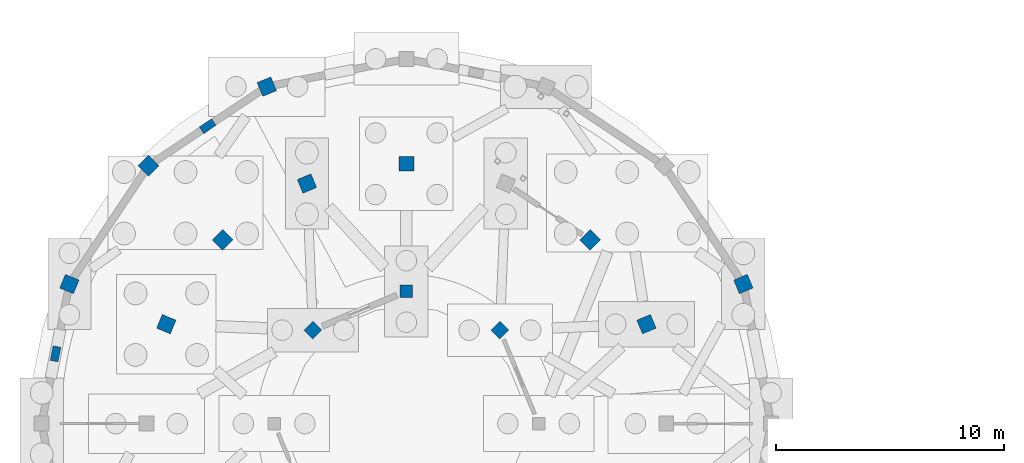
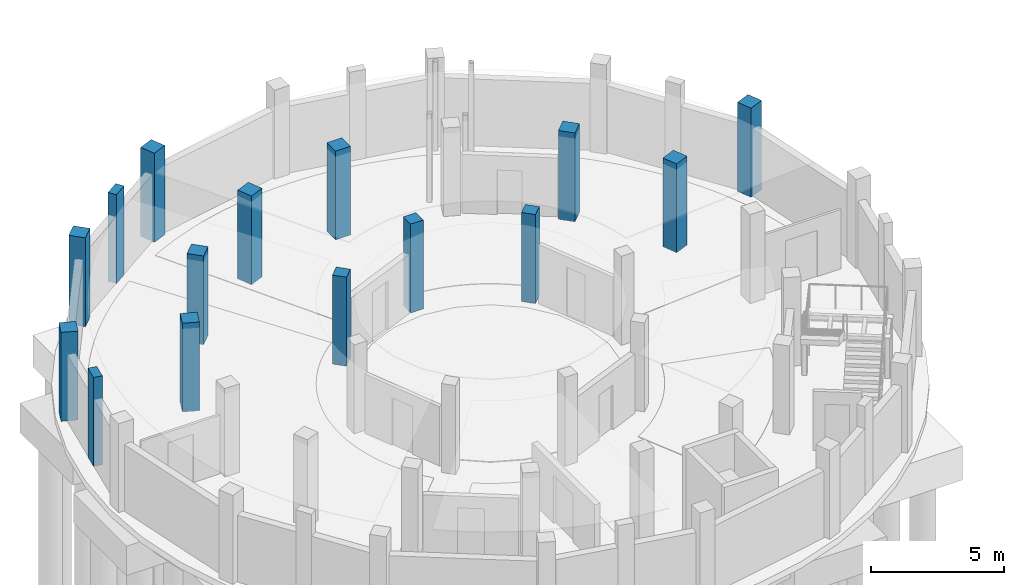
# One storey, part 24 of 58: 15 columns.
"""IFC4 building model written with IfcOpenShell, lengths in metres."""

import ifcopenshell
import ifcopenshell.guid

model = None  # the IFC model being written
_history = None  # IfcOwnerHistory: only IFC2X3 demands one
_inside = {}  # id of a spatial element -> (the spatial element, [elements in it])
_under = {}  # id of a project, library or spatial element -> (it, [spatial elements below it])
_declared = {}  # id of a project -> (the project, [libraries it declares])
_typed = {}  # id of a type object -> (the type object, [elements of that type])
_made_of = {}  # id of a material, layer set ... -> (it, [elements and type objects made of it])


def new_model(schema):
    """Start an empty IFC model of exactly this schema.

    Asked for "IFC4X3", IfcOpenShell would pick the latest addendum, in which some entities
    have other attributes; the version numbers below select the first issue.
    IFC2X3 requires an IfcOwnerHistory on every rooted entity: one is made here for all.
    """
    global model, _history
    if schema == "IFC4X3":
        model = ifcopenshell.file(schema_version=(4, 3, 0, 0))
    else:
        model = ifcopenshell.file(schema=schema)
    _inside.clear()
    _under.clear()
    _declared.clear()
    _typed.clear()
    _made_of.clear()
    _history = None
    if model.schema == "IFC2X3":
        org = make("IfcOrganization", Name="unknown")
        user = make(
            "IfcPersonAndOrganization",
            ThePerson=make("IfcPerson", FamilyName="unknown"),
            TheOrganization=org,
        )
        app = make(
            "IfcApplication",
            ApplicationDeveloper=org,
            Version="unknown",
            ApplicationFullName="unknown",
            ApplicationIdentifier="unknown",
        )
        _history = make(
            "IfcOwnerHistory",
            OwningUser=user,
            OwningApplication=app,
            ChangeAction="ADDED",
            CreationDate=0,
        )
    return model


def make(cls, **values):
    """One entity of the class cls with the attributes given. An attribute that is None is left unset."""
    return model.create_entity(
        cls, **{name: value for name, value in values.items() if value is not None}
    )


def rooted(cls, **values):
    """An entity with a GlobalId (a new one), such as an element, a storey or a relation."""
    return make(cls, GlobalId=ifcopenshell.guid.new(), OwnerHistory=_history, **values)


def si_unit(unit_type, name, prefix=None):
    """IfcSIUnit, for example si_unit("LENGTHUNIT", "METRE", prefix="MILLI")."""
    return make("IfcSIUnit", UnitType=unit_type, Prefix=prefix, Name=name)


def assignment(units):
    """IfcUnitAssignment: the units of a project."""
    return None if units is None else make("IfcUnitAssignment", Units=units)


def point(xyz):
    """IfcCartesianPoint."""
    return None if xyz is None else make("IfcCartesianPoint", Coordinates=xyz)


def direction(xyz):
    """IfcDirection."""
    return None if xyz is None else make("IfcDirection", DirectionRatios=xyz)


def frame(location, z_axis=None, x_axis=None):
    """IfcAxis2Placement3D, a coordinate frame: its origin and axes. An axis left out is left unset."""
    return make(
        "IfcAxis2Placement3D",
        Location=point(location),
        Axis=direction(z_axis),
        RefDirection=direction(x_axis),
    )


def frame_2d(location, x_axis=None):
    """IfcAxis2Placement2D, a coordinate frame in the plane: its origin and x axis."""
    return make(
        "IfcAxis2Placement2D", Location=point(location), RefDirection=direction(x_axis)
    )


def origin():
    """The frame at (0, 0, 0) with its axes left unset."""
    return frame((0.0, 0.0, 0.0))


def origin_2d():
    """The frame at (0, 0) in the plane with its x axis left unset."""
    return frame_2d((0.0, 0.0))


def place(relative_to, where):
    """IfcLocalPlacement: puts the frame where relative to a parent placement (None: the world)."""
    return make(
        "IfcLocalPlacement", PlacementRelTo=relative_to, RelativePlacement=where
    )


def context(
    kind, dimensions, precision=None, world=None, true_north=None, identifier=None
):
    """IfcGeometricRepresentationContext, for example the 3D "Model" context."""
    return make(
        "IfcGeometricRepresentationContext",
        ContextIdentifier=identifier,
        ContextType=kind,
        CoordinateSpaceDimension=dimensions,
        Precision=precision,
        WorldCoordinateSystem=world,
        TrueNorth=true_north,
    )


def subcontext(parent, identifier, kind, view, scale=None):
    """IfcGeometricRepresentationSubContext, for example "Body" below "Model"."""
    return make(
        "IfcGeometricRepresentationSubContext",
        ContextIdentifier=identifier,
        ContextType=kind,
        ParentContext=parent,
        TargetScale=scale,
        TargetView=view,
    )


def project(units=None, contexts=None):
    """IfcProject with its units and contexts."""
    return rooted(
        "IfcProject",
        Name="project",
        RepresentationContexts=contexts,
        UnitsInContext=assignment(units),
    )


def spatial(cls, under=None, at=None, **own):
    """A site, building, storey or space (cls), placed at a placement, below another one or the project."""
    s = rooted(cls, ObjectPlacement=at, **own)
    if under is not None:
        _under.setdefault(under.id(), (under, []))[1].append(s)
    return s


def profile(cls, at=None, kind="AREA", **sizes):
    """A parametric profile (cls). Its sizes go by their IFC names, for example OverallWidth=200.0."""
    return make(cls, ProfileType=kind, Position=at, **sizes)


def rectangle(**sizes):
    """IfcRectangleProfileDef."""
    return profile("IfcRectangleProfileDef", **sizes)


def extrude(swept, where, along, depth):
    """IfcExtrudedAreaSolid: the profile swept, set in the frame where, extruded along a direction by depth."""
    return make(
        "IfcExtrudedAreaSolid",
        SweptArea=swept,
        Position=where,
        ExtrudedDirection=direction(along),
        Depth=depth,
    )


def shape(context_of_items, identifier, shape_type, items):
    """IfcShapeRepresentation: the items that make up one representation, for example the "Body"."""
    return make(
        "IfcShapeRepresentation",
        ContextOfItems=context_of_items,
        RepresentationIdentifier=identifier,
        RepresentationType=shape_type,
        Items=items,
    )


def material(Name=None, Category=None):
    """IfcMaterial."""
    return make("IfcMaterial", Name=Name, Category=Category)


def material_profile(
    of_material, cross_section, Name=None, Category=None, Priority=None
):
    """IfcMaterialProfile: a cross section and its material."""
    return make(
        "IfcMaterialProfile",
        Name=Name,
        Material=of_material,
        Profile=cross_section,
        Priority=Priority,
        Category=Category,
    )


def profile_set(profiles, Name=None, composite=None):
    """IfcMaterialProfileSet."""
    return make(
        "IfcMaterialProfileSet",
        Name=Name,
        MaterialProfiles=profiles,
        CompositeProfile=composite,
    )


def made_of(thing, what):
    """Note that an element or type object is made of a material, layer set ...; save() writes the relation."""
    if what is not None:
        _made_of.setdefault(what.id(), (what, []))[1].append(thing)
    return thing


def type_object(cls, material=None, **own):
    """A type object (cls), such as IfcWallType, which elements share."""
    return made_of(rooted(cls, **own), material)


def element(
    cls,
    number,
    at=None,
    inside=None,
    cuts=None,
    type_object=None,
    material=None,
    context=None,
    identifier="Body",
    shape_type=None,
    held_by="IfcProductDefinitionShape",
    body=None,
    shapes=None,
    **own,
):
    """One element of the class cls, such as IfcWall. Its Tag is "e" and its number.

    at: its placement. inside: the storey or other place that contains it. cuts: it is an
    opening in that element (IfcRelVoidsElement). A single representation is given by context,
    identifier, shape_type and body (its items); several are given by shapes. held_by: the class
    of the entity that holds the representations. save() writes the other relations.
    """
    e = rooted(cls, Tag="e%d" % number, ObjectPlacement=at, **own)
    if body is not None:
        shapes = [shape(context, identifier, shape_type, body)]
    if shapes is not None:
        e.Representation = make(held_by, Representations=shapes)
    if inside is not None:
        _inside.setdefault(inside.id(), (inside, []))[1].append(e)
    if cuts is not None:
        rooted(
            "IfcRelVoidsElement", RelatingBuildingElement=cuts, RelatedOpeningElement=e
        )
    if type_object is not None:
        _typed.setdefault(type_object.id(), (type_object, []))[1].append(e)
    return made_of(e, material)


def aggregate(whole, parts):
    """IfcRelAggregates: a whole, such as a stair, and the parts it consists of."""
    return rooted("IfcRelAggregates", RelatingObject=whole, RelatedObjects=parts)


def save(model, path):
    """Write the relations noted so far, then the file.

    IfcRelAggregates (storeys below a building ...), IfcRelContainedInSpatialStructure (elements
    in a storey), IfcRelDefinesByType, IfcRelAssociatesMaterial and IfcRelDeclares: one each for
    every whole, place, type object, material and project.
    """
    for whole, parts in _under.values():
        aggregate(whole, parts)
    for where, things in _inside.values():
        rooted(
            "IfcRelContainedInSpatialStructure",
            RelatedElements=things,
            RelatingStructure=where,
        )
    for kind, things in _typed.values():
        rooted("IfcRelDefinesByType", RelatedObjects=things, RelatingType=kind)
    for what, things in _made_of.values():
        rooted("IfcRelAssociatesMaterial", RelatedObjects=things, RelatingMaterial=what)
    for by, libraries in _declared.values():
        rooted("IfcRelDeclares", RelatingContext=by, RelatedDefinitions=libraries)
    model.write(path)


model = new_model("IFC4")

# Units and contexts
model_context = context("Model", 3, precision=1e-05, world=origin(), true_north=direction((0.0, 1.0)))
body_context = subcontext(model_context, "Body", "Model", "MODEL_VIEW")
ifc_project = project(units=[si_unit("LENGTHUNIT", "METRE"), si_unit("AREAUNIT", "SQUARE_METRE"), si_unit("VOLUMEUNIT", "CUBIC_METRE"), si_unit("PLANEANGLEUNIT", "RADIAN"), si_unit("MASSUNIT", "GRAM", prefix="KILO")], contexts=[model_context])

# Site, building, storey
site_placement = place(None, origin())
site = spatial("IfcSite", under=ifc_project, at=site_placement, CompositionType="ELEMENT")
building_placement = place(site_placement, origin())
building = spatial("IfcBuilding", under=site, at=building_placement, Name="Caldaven Crescent School", CompositionType="ELEMENT")
storey_placement = place(building_placement, frame((0.0, 0.0, -4.080078125)))
storey = spatial("IfcBuildingStorey", under=building, at=storey_placement, Name="B1", CompositionType="ELEMENT", Elevation=-4.080078125)

# Columns
ifc_material_1 = material(Name="Concrete C35/45", Category="concrete")
ifc_material_profile_1 = material_profile(ifc_material_1, rectangle(XDim=0.550048828125, YDim=0.550048828125, at=origin_2d()), Name="RC 550x550")
ifc_profile_set_1 = profile_set([ifc_material_profile_1], Name="Concrete C35/45")
column_type_1 = type_object("IfcColumnType", Name="COL-RC55", PredefinedType="COLUMN", material=ifc_profile_set_1)
for number, where, z_axis, x_axis, name in (
    (1, (27.601318359375, 102.601318359375, 0.0), (0.0, 0.0, 1.0), (0.707106781187, 0.707106781187, 0.0), "COL-V2-B1-IN-02"),
    (2, (23.5, 104.300048828125, 0.0), (0.0, 0.0, 1.0), (0.0, 1.0, 0.0), "COL-V2-B1-IN-04"),
    (3, (19.398681640625, 102.601318359375, 0.0), (0.0, 0.0, 1.0), (-0.707106781187, 0.707106781187, 0.0), "COL-V2-B1-IN-06"),
):
    element("IfcColumn", number, at=place(storey_placement, frame(where, z_axis=z_axis, x_axis=x_axis)), inside=storey, type_object=column_type_1, Name=name, PredefinedType="COLUMN", context=body_context, shape_type="SweptSolid", body=[
        extrude(rectangle(XDim=0.550048828125, YDim=0.550048828125, at=origin_2d()), origin(), (0.0, 0.0, 1.0), 4.080078125),
    ])
ifc_material_profile_2 = material_profile(ifc_material_1, rectangle(XDim=0.64990234375, YDim=0.64990234375, at=origin_2d()), Name="RC 650x650")
ifc_profile_set_2 = profile_set([ifc_material_profile_2], Name="Concrete C35/45")
column_type_2 = type_object("IfcColumnType", Name="COL-RC65", PredefinedType="COLUMN", material=ifc_profile_set_2)
for number, where, z_axis, x_axis, name in (
    (4, (34.0322265625, 102.862548828125, 0.0), (0.0, 0.0, 1.0), (0.923879532511, 0.382683432365, 0.0), "COL-V2-B1-GAL-01"),
    (5, (38.281982421875, 104.623046875, 0.0), (0.0, 0.0, 1.0), (0.923879532511, 0.382683432365, 0.0), "COL-V2-B1-OUT-01"),
    (6, (31.56103515625, 106.56103515625, 0.0), (0.0, 0.0, 1.0), (0.707106781187, 0.707106781187, 0.0), "COL-V2-B1-GAL-02"),
    (7, (23.5, 109.89990234375, 0.0), (0.0, 0.0, 1.0), (0.0, 1.0, 0.0), "COL-V2-B1-GAL-04"),
    (8, (19.137451171875, 109.0322265625, 0.0), (0.0, 0.0, 1.0), (-0.382683432365, 0.923879532511, 0.0), "COL-V2-B1-GAL-05"),
    (9, (17.376953125, 113.281982421875, 0.0), (0.0, 0.0, 1.0), (-0.382683432365, 0.923879532511, 0.0), "COL-V2-B1-OUT-05"),
    (10, (15.43896484375, 106.56103515625, 0.0), (0.0, 0.0, 1.0), (-0.707106781187, 0.707106781187, 0.0), "COL-V2-B1-GAL-06"),
    (11, (12.186279296875, 109.813720703125, 0.0), (0.0, 0.0, 1.0), (-0.707106781187, 0.707106781187, 0.0), "COL-V2-B1-OUT-06"),
    (12, (12.9677734375, 102.862548828125, 0.0), (0.0, 0.0, 1.0), (-0.923879532511, 0.382683432365, 0.0), "COL-V2-B1-GAL-07"),
    (13, (8.718017578125, 104.623046875, 0.0), (0.0, 0.0, 1.0), (-0.923879532511, 0.382683432365, 0.0), "COL-V2-B1-OUT-07"),
):
    element("IfcColumn", number, at=place(storey_placement, frame(where, z_axis=z_axis, x_axis=x_axis)), inside=storey, type_object=column_type_2, Name=name, PredefinedType="COLUMN", context=body_context, shape_type="SweptSolid", body=[
        extrude(rectangle(XDim=0.64990234375, YDim=0.64990234375, at=origin_2d()), origin(), (0.0, 0.0, 1.0), 4.080078125),
    ])
ifc_material_2 = material(Name="Concrete C30/37", Category="concrete")
ifc_material_profile_3 = material_profile(ifc_material_2, rectangle(XDim=0.35009765625, YDim=0.64990234375, at=origin_2d()), Name="RC 350x650")
ifc_profile_set_3 = profile_set([ifc_material_profile_3], Name="Concrete C30/37")
column_type_3 = type_object("IfcColumnType", Name="PIL-RC35", PredefinedType="PILASTER", material=ifc_profile_set_3)
for number, where, z_axis, x_axis, name in (
    (14, (14.78173828125, 111.5478515625, 0.0), (0.0, 0.0, 1.0), (-0.55557023302, 0.831469612303, 0.0), "PIL-V2-B1-02"),
    (15, (8.10888671875, 101.5615234375, 0.0), (0.0, 0.0, 1.0), (-0.980785280403, 0.195090322016, 0.0), "PIL-V2-B1-03"),
):
    element("IfcColumn", number, at=place(storey_placement, frame(where, z_axis=z_axis, x_axis=x_axis)), inside=storey, type_object=column_type_3, Name=name, PredefinedType="PILASTER", context=body_context, shape_type="SweptSolid", body=[
        extrude(rectangle(XDim=0.35009765625, YDim=0.64990234375, at=origin_2d()), origin(), (0.0, 0.0, 1.0), 4.080078125),
    ])

save(model, "model.ifc")
